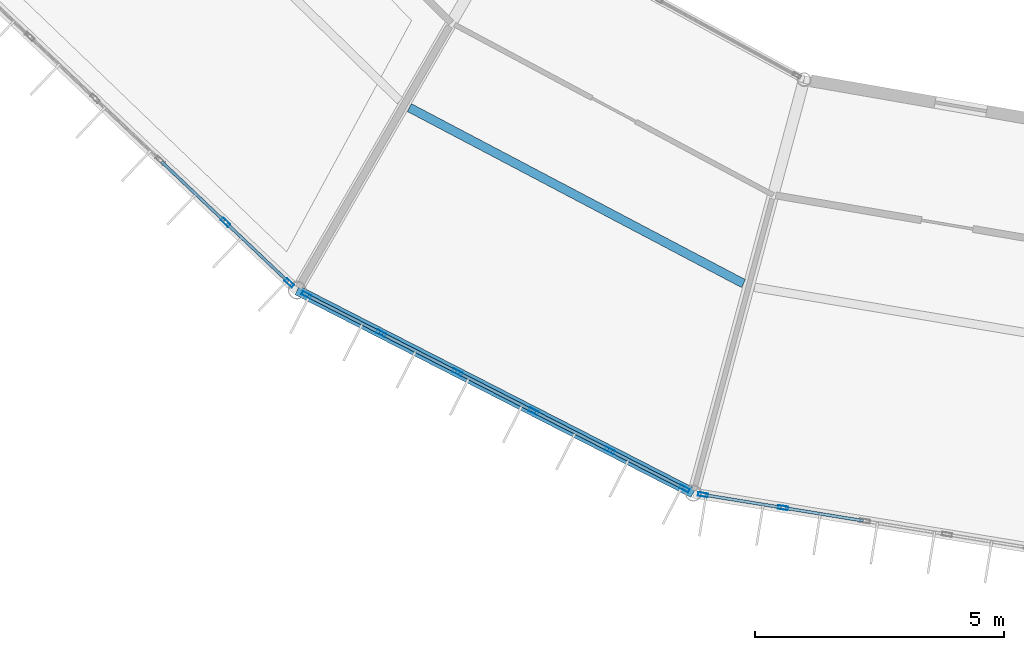
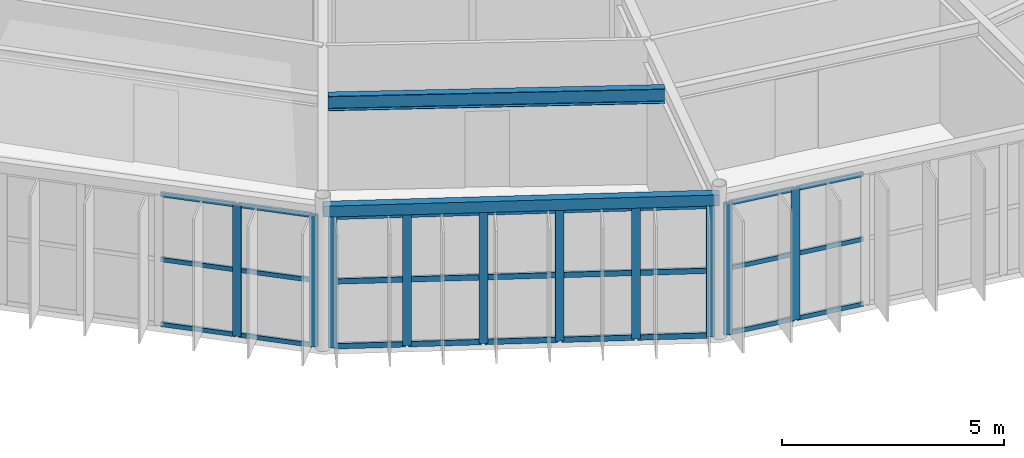
# One storey, part 24 of 148: 37 members, 2 beams, 3 elements without a shape of their own.
"""IFC4 building model written with IfcOpenShell, lengths in metres."""

from ifc_helpers import new_model, si_unit, direction, frame, origin, origin_2d, place, context, subcontext, project, spatial, hollow_rectangle, i_section, extrude, material, material_profile, profile_set, type_object, element, aggregate, save


model = new_model("IFC4")

# Units and contexts
model_context = context("Model", 3, precision=1e-05, world=origin(), true_north=direction((0.0, 1.0)))
body_context = subcontext(model_context, "Body", "Model", "MODEL_VIEW")
ifc_project = project(units=[si_unit("LENGTHUNIT", "METRE"), si_unit("AREAUNIT", "SQUARE_METRE"), si_unit("VOLUMEUNIT", "CUBIC_METRE"), si_unit("PLANEANGLEUNIT", "RADIAN"), si_unit("MASSUNIT", "GRAM", prefix="KILO")], contexts=[model_context])

# Site, building, storey
site_placement = place(None, origin())
site = spatial("IfcSite", under=ifc_project, at=site_placement, CompositionType="ELEMENT")
building_placement = place(site_placement, origin())
building = spatial("IfcBuilding", under=site, at=building_placement, Name="Karori Crest Natural Sciences Institute", CompositionType="ELEMENT")
storey_placement = place(building_placement, frame((0.0, 0.0, 4.89990234375)))
storey = spatial("IfcBuildingStorey", under=building, at=storey_placement, Name="L01", CompositionType="ELEMENT", Elevation=4.89990234375)

# Beams
ifc_material_1 = material(Name="Hollow structural steel AS/NZS 1163 Grade C350", Category="steel")
ifc_material_profile_1 = material_profile(ifc_material_1, hollow_rectangle(XDim=0.199951171875, YDim=0.300048828125, WallThickness=0.010009765625, at=origin_2d()), Name="RHS300x200x10")
ifc_profile_set_1 = profile_set([ifc_material_profile_1], Name="Hollow structural steel AS/NZS 1163 Grade C350")
beam_type_1 = type_object("IfcBeamType", Name="BT-15", PredefinedType="SPANDREL", material=ifc_profile_set_1)
beam_1_placement = place(storey_placement, frame((49.89990234375, 14.566162109375, 3.7900390625), z_axis=(0.890071733872, -0.455820478436, 0.0), x_axis=(0.455820478436, 0.890071733872, 0.0)))
element("IfcBeam", 1, at=beam_1_placement, inside=storey, type_object=beam_type_1, Name="Beam B-0240", PredefinedType="SPANDREL", context=body_context, shape_type="SweptSolid", body=[
    extrude(hollow_rectangle(XDim=0.199951171875, YDim=0.300048828125, WallThickness=0.010009765625, at=origin_2d()), origin(), (0.0, 0.0, 1.0), 8.94189453125),
])
ifc_material_2 = material(Name="Structural steel AS/NZS 3679.1 Grade 350", Category="steel")
ifc_material_profile_2 = material_profile(ifc_material_2, i_section(OverallWidth=0.177978515625, OverallDepth=0.403076171875, WebThickness=0.007568359375, FlangeThickness=0.010986328125, FilletRadius=0.010986328125, at=origin_2d()), Name="410UB53.7")
ifc_profile_set_2 = profile_set([ifc_material_profile_2], Name="Structural steel AS/NZS 3679.1 Grade 350")
beam_type_2 = type_object("IfcBeamType", Name="BT-29", PredefinedType="BEAM", material=ifc_profile_set_2)
beam_2_placement = place(storey_placement, frame((52.15625, 18.234130859375, 3.738525390625), z_axis=(0.884748465601, -0.466068828197, 0.0), x_axis=(0.466068828197, 0.884748465601, 0.0)))
element("IfcBeam", 2, at=beam_2_placement, inside=storey, type_object=beam_type_2, Name="Beam B-0243", PredefinedType="BEAM", context=body_context, shape_type="SweptSolid", body=[
    extrude(i_section(OverallWidth=0.177978515625, OverallDepth=0.403076171875, WebThickness=0.007568359375, FlangeThickness=0.010986328125, FilletRadius=0.010986328125, at=origin_2d()), origin(), (0.0, 0.0, 1.0), 7.58349609375),
])

# Curtain wall, members
ifc_material_3 = material(Name="Anodised architectural aluminium 6063-T6", Category="aluminium")
curtain_wall_type_1 = type_object("IfcCurtainWallType", Name="CWT-06", PredefinedType="NOTDEFINED", material=ifc_material_3)
curtain_wall_1_placement = place(storey_placement, origin())
curtain_wall_1 = element("IfcCurtainWall", 3, at=curtain_wall_1_placement, inside=storey, type_object=curtain_wall_type_1, Name="Curtain wall CW-0052", PredefinedType="NOTDEFINED")
ifc_material_profile_3 = material_profile(ifc_material_3, hollow_rectangle(XDim=0.074951171875, YDim=0.199951171875, WallThickness=0.0048828125, at=origin_2d()), Name="CWM200x75x5")
ifc_profile_set_3 = profile_set([ifc_material_profile_3], Name="Anodised architectural aluminium 6063-T6")
member_type_1 = type_object("IfcMemberType", Name="CWM-02", PredefinedType="MULLION", material=ifc_profile_set_3)
member_1_placement = place(storey_placement, frame((49.745361328125, 14.712890625, 0.0), z_axis=(0.0, 0.0, 1.0), x_axis=(-0.688245939986, -0.725477446992, 0.0)))
member_1 = element("IfcMember", 4, at=member_1_placement, type_object=member_type_1, Name="CW-0052 mullion 1", PredefinedType="MULLION", context=body_context, shape_type="SweptSolid", body=[
    extrude(hollow_rectangle(XDim=0.074951171875, YDim=0.199951171875, WallThickness=0.0048828125, at=origin_2d()), origin(), (0.0, 0.0, 1.0), 3.625),
])
member_2_placement = place(storey_placement, frame((48.4619140625, 15.930419921875, 0.0), z_axis=(0.0, 0.0, 1.0), x_axis=(-0.688245939986, -0.725477446992, 0.0)))
member_2 = element("IfcMember", 5, at=member_2_placement, type_object=member_type_1, Name="CW-0052 mullion 2", PredefinedType="MULLION", context=body_context, shape_type="SweptSolid", body=[
    extrude(hollow_rectangle(XDim=0.074951171875, YDim=0.199951171875, WallThickness=0.0048828125, at=origin_2d()), origin(), (0.0, 0.0, 1.0), 3.625),
])

curtain_wall_type_2 = type_object("IfcCurtainWallType", Name="CWT-07", PredefinedType="NOTDEFINED", material=ifc_material_3)
curtain_wall_2_placement = place(storey_placement, origin())
curtain_wall_2 = element("IfcCurtainWall", 6, at=curtain_wall_2_placement, inside=storey, type_object=curtain_wall_type_2, Name="Curtain wall CW-0053", PredefinedType="NOTDEFINED")
member_3_placement = place(storey_placement, frame((57.68310546875, 10.580078125, 0.0), z_axis=(0.0, 0.0, 1.0), x_axis=(-0.455832988828, -0.890065326982, 0.0)))
member_3 = element("IfcMember", 7, at=member_3_placement, type_object=member_type_1, Name="CW-0053 mullion 1", PredefinedType="MULLION", context=body_context, shape_type="SweptSolid", body=[
    extrude(hollow_rectangle(XDim=0.074951171875, YDim=0.199951171875, WallThickness=0.0048828125, at=origin_2d()), origin(), (0.0, 0.0, 1.0), 3.625),
])
member_4_placement = place(storey_placement, frame((56.1845703125, 11.34765625, 0.0), z_axis=(0.0, 0.0, 1.0), x_axis=(-0.455832988828, -0.890065326982, 0.0)))
member_4 = element("IfcMember", 8, at=member_4_placement, type_object=member_type_1, Name="CW-0053 mullion 2", PredefinedType="MULLION", context=body_context, shape_type="SweptSolid", body=[
    extrude(hollow_rectangle(XDim=0.074951171875, YDim=0.199951171875, WallThickness=0.0048828125, at=origin_2d()), origin(), (0.0, 0.0, 1.0), 3.625),
])
member_5_placement = place(storey_placement, frame((54.652587890625, 12.13232421875, 0.0), z_axis=(0.0, 0.0, 1.0), x_axis=(-0.455832988828, -0.890065326982, 0.0)))
member_5 = element("IfcMember", 9, at=member_5_placement, type_object=member_type_1, Name="CW-0053 mullion 3", PredefinedType="MULLION", context=body_context, shape_type="SweptSolid", body=[
    extrude(hollow_rectangle(XDim=0.074951171875, YDim=0.199951171875, WallThickness=0.0048828125, at=origin_2d()), origin(), (0.0, 0.0, 1.0), 3.625),
])
member_6_placement = place(storey_placement, frame((53.12060546875, 12.9169921875, 0.0), z_axis=(0.0, 0.0, 1.0), x_axis=(-0.455832988828, -0.890065326982, 0.0)))
member_6 = element("IfcMember", 10, at=member_6_placement, type_object=member_type_1, Name="CW-0053 mullion 4", PredefinedType="MULLION", context=body_context, shape_type="SweptSolid", body=[
    extrude(hollow_rectangle(XDim=0.074951171875, YDim=0.199951171875, WallThickness=0.0048828125, at=origin_2d()), origin(), (0.0, 0.0, 1.0), 3.625),
])
member_7_placement = place(storey_placement, frame((51.588623046875, 13.701416015625, 0.0), z_axis=(0.0, 0.0, 1.0), x_axis=(-0.455832988828, -0.890065326982, 0.0)))
member_7 = element("IfcMember", 11, at=member_7_placement, type_object=member_type_1, Name="CW-0053 mullion 5", PredefinedType="MULLION", context=body_context, shape_type="SweptSolid", body=[
    extrude(hollow_rectangle(XDim=0.074951171875, YDim=0.199951171875, WallThickness=0.0048828125, at=origin_2d()), origin(), (0.0, 0.0, 1.0), 3.625),
])
member_8_placement = place(storey_placement, frame((50.08984375, 14.468994140625, 0.0), z_axis=(0.0, 0.0, 1.0), x_axis=(-0.455832988828, -0.890065326982, 0.0)))
member_8 = element("IfcMember", 12, at=member_8_placement, type_object=member_type_1, Name="CW-0053 mullion 6", PredefinedType="MULLION", context=body_context, shape_type="SweptSolid", body=[
    extrude(hollow_rectangle(XDim=0.074951171875, YDim=0.199951171875, WallThickness=0.0048828125, at=origin_2d()), origin(), (0.0, 0.0, 1.0), 3.625),
])

curtain_wall_type_3 = type_object("IfcCurtainWallType", Name="CWT-08", PredefinedType="NOTDEFINED", material=ifc_material_3)
curtain_wall_3_placement = place(storey_placement, origin())
curtain_wall_3 = element("IfcCurtainWall", 13, at=curtain_wall_3_placement, inside=storey, type_object=curtain_wall_type_3, Name="Curtain wall CW-0055", PredefinedType="NOTDEFINED")
member_9_placement = place(storey_placement, frame((59.662841796875, 10.196533203125, 0.0), z_axis=(0.0, 0.0, 1.0), x_axis=(-0.160651962718, -0.987011117908, 0.0)))
member_9 = element("IfcMember", 14, at=member_9_placement, type_object=member_type_1, Name="CW-0055 mullion 5", PredefinedType="MULLION", context=body_context, shape_type="SweptSolid", body=[
    extrude(hollow_rectangle(XDim=0.074951171875, YDim=0.199951171875, WallThickness=0.0048828125, at=origin_2d()), origin(), (0.0, 0.0, 1.0), 3.625),
])
member_10_placement = place(storey_placement, frame((58.053955078125, 10.45849609375, 0.0), z_axis=(0.0, 0.0, 1.0), x_axis=(-0.160651962718, -0.987011117908, 0.0)))
member_10 = element("IfcMember", 15, at=member_10_placement, type_object=member_type_1, Name="CW-0055 mullion 6", PredefinedType="MULLION", context=body_context, shape_type="SweptSolid", body=[
    extrude(hollow_rectangle(XDim=0.074951171875, YDim=0.199951171875, WallThickness=0.0048828125, at=origin_2d()), origin(), (0.0, 0.0, 1.0), 3.625),
])

# Member
ifc_material_profile_4 = material_profile(ifc_material_3, hollow_rectangle(XDim=0.06005859375, YDim=0.1201171875, WallThickness=0.00390625, at=origin_2d()), Name="CWT120x60x4")
ifc_profile_set_4 = profile_set([ifc_material_profile_4], Name="Anodised architectural aluminium 6063-T6")
member_type_2 = type_object("IfcMemberType", Name="CWT-TR1", PredefinedType="USERDEFINED", material=ifc_profile_set_4)
member_11_placement = place(storey_placement, frame((49.718017578125, 14.73876953125, 0.030029296875), z_axis=(-0.72545262833, 0.688272100299, 0.0), x_axis=(-0.688272100299, -0.72545262833, 0.0)))
member_11 = element("IfcMember", 16, at=member_11_placement, type_object=member_type_2, Name="CW-0052 transom 1.1", ObjectType="TRANSOM", PredefinedType="USERDEFINED", context=body_context, shape_type="SweptSolid", body=[
    extrude(hollow_rectangle(XDim=0.06005859375, YDim=0.1201171875, WallThickness=0.00390625, at=origin_2d()), origin(), (0.0, 0.0, 1.0), 1.694091796875),
])

member_12_placement = place(storey_placement, frame((49.718017578125, 14.73876953125, 1.8125), z_axis=(-0.72545262833, 0.688272100299, 0.0), x_axis=(-0.688272100299, -0.72545262833, 0.0)))
member_12 = element("IfcMember", 17, at=member_12_placement, type_object=member_type_2, Name="CW-0052 transom 1.2", ObjectType="TRANSOM", PredefinedType="USERDEFINED", context=body_context, shape_type="SweptSolid", body=[
    extrude(hollow_rectangle(XDim=0.06005859375, YDim=0.1201171875, WallThickness=0.00390625, at=origin_2d()), origin(), (0.0, 0.0, 1.0), 1.694091796875),
])

member_13_placement = place(storey_placement, frame((49.718017578125, 14.73876953125, 3.59521484375), z_axis=(-0.72545262833, 0.688272100299, 0.0), x_axis=(-0.688272100299, -0.72545262833, 0.0)))
member_13 = element("IfcMember", 18, at=member_13_placement, type_object=member_type_2, Name="CW-0052 transom 1.3", ObjectType="TRANSOM", PredefinedType="USERDEFINED", context=body_context, shape_type="SweptSolid", body=[
    extrude(hollow_rectangle(XDim=0.06005859375, YDim=0.1201171875, WallThickness=0.00390625, at=origin_2d()), origin(), (0.0, 0.0, 1.0), 1.694091796875),
])

member_14_placement = place(storey_placement, frame((48.434814453125, 15.956298828125, 0.030029296875), z_axis=(-0.725541312299, 0.68817861355, 0.0), x_axis=(-0.68817861355, -0.725541312299, 0.0)))
member_14 = element("IfcMember", 19, at=member_14_placement, type_object=member_type_2, Name="CW-0052 transom 2.1", ObjectType="TRANSOM", PredefinedType="USERDEFINED", context=body_context, shape_type="SweptSolid", body=[
    extrude(hollow_rectangle(XDim=0.06005859375, YDim=0.1201171875, WallThickness=0.00390625, at=origin_2d()), origin(), (0.0, 0.0, 1.0), 1.731689453125),
])

member_15_placement = place(storey_placement, frame((48.434814453125, 15.956298828125, 1.8125), z_axis=(-0.725541312299, 0.68817861355, 0.0), x_axis=(-0.68817861355, -0.725541312299, 0.0)))
member_15 = element("IfcMember", 20, at=member_15_placement, type_object=member_type_2, Name="CW-0052 transom 2.2", ObjectType="TRANSOM", PredefinedType="USERDEFINED", context=body_context, shape_type="SweptSolid", body=[
    extrude(hollow_rectangle(XDim=0.06005859375, YDim=0.1201171875, WallThickness=0.00390625, at=origin_2d()), origin(), (0.0, 0.0, 1.0), 1.731689453125),
])

member_16_placement = place(storey_placement, frame((48.434814453125, 15.956298828125, 3.59521484375), z_axis=(-0.725541312299, 0.68817861355, 0.0), x_axis=(-0.68817861355, -0.725541312299, 0.0)))
member_16 = element("IfcMember", 21, at=member_16_placement, type_object=member_type_2, Name="CW-0052 transom 2.3", ObjectType="TRANSOM", PredefinedType="USERDEFINED", context=body_context, shape_type="SweptSolid", body=[
    extrude(hollow_rectangle(XDim=0.06005859375, YDim=0.1201171875, WallThickness=0.00390625, at=origin_2d()), origin(), (0.0, 0.0, 1.0), 1.731689453125),
])

aggregate(curtain_wall_1, [member_1, member_2, member_11, member_12, member_13, member_14, member_15, member_16])

member_17_placement = place(storey_placement, frame((61.271728515625, 9.934814453125, 0.030029296875), z_axis=(-0.987008400747, 0.16066865548, 0.0), x_axis=(-0.16066865548, -0.987008400747, 0.0)))
member_17 = element("IfcMember", 22, at=member_17_placement, type_object=member_type_2, Name="CW-0055 transom 4.1", ObjectType="TRANSOM", PredefinedType="USERDEFINED", context=body_context, shape_type="SweptSolid", body=[
    extrude(hollow_rectangle(XDim=0.06005859375, YDim=0.1201171875, WallThickness=0.00390625, at=origin_2d()), origin(), (0.0, 0.0, 1.0), 1.592529296875),
])

member_18_placement = place(storey_placement, frame((61.271728515625, 9.934814453125, 1.8125), z_axis=(-0.987008400747, 0.16066865548, 0.0), x_axis=(-0.16066865548, -0.987008400747, 0.0)))
member_18 = element("IfcMember", 23, at=member_18_placement, type_object=member_type_2, Name="CW-0055 transom 4.2", ObjectType="TRANSOM", PredefinedType="USERDEFINED", context=body_context, shape_type="SweptSolid", body=[
    extrude(hollow_rectangle(XDim=0.06005859375, YDim=0.1201171875, WallThickness=0.00390625, at=origin_2d()), origin(), (0.0, 0.0, 1.0), 1.592529296875),
])

member_19_placement = place(storey_placement, frame((61.271728515625, 9.934814453125, 3.59521484375), z_axis=(-0.987008400747, 0.16066865548, 0.0), x_axis=(-0.16066865548, -0.987008400747, 0.0)))
member_19 = element("IfcMember", 24, at=member_19_placement, type_object=member_type_2, Name="CW-0055 transom 4.3", ObjectType="TRANSOM", PredefinedType="USERDEFINED", context=body_context, shape_type="SweptSolid", body=[
    extrude(hollow_rectangle(XDim=0.06005859375, YDim=0.1201171875, WallThickness=0.00390625, at=origin_2d()), origin(), (0.0, 0.0, 1.0), 1.592529296875),
])

member_20_placement = place(storey_placement, frame((59.625732421875, 10.20263671875, 0.030029296875), z_axis=(-0.987018847507, 0.160604466518, 0.0), x_axis=(-0.160604466518, -0.987018847507, 0.0)))
member_20 = element("IfcMember", 25, at=member_20_placement, type_object=member_type_2, Name="CW-0055 transom 5.1", ObjectType="TRANSOM", PredefinedType="USERDEFINED", context=body_context, shape_type="SweptSolid", body=[
    extrude(hollow_rectangle(XDim=0.06005859375, YDim=0.1201171875, WallThickness=0.00390625, at=origin_2d()), origin(), (0.0, 0.0, 1.0), 1.55517578125),
])

member_21_placement = place(storey_placement, frame((59.625732421875, 10.20263671875, 1.8125), z_axis=(-0.987018847507, 0.160604466518, 0.0), x_axis=(-0.160604466518, -0.987018847507, 0.0)))
member_21 = element("IfcMember", 26, at=member_21_placement, type_object=member_type_2, Name="CW-0055 transom 5.2", ObjectType="TRANSOM", PredefinedType="USERDEFINED", context=body_context, shape_type="SweptSolid", body=[
    extrude(hollow_rectangle(XDim=0.06005859375, YDim=0.1201171875, WallThickness=0.00390625, at=origin_2d()), origin(), (0.0, 0.0, 1.0), 1.55517578125),
])

member_22_placement = place(storey_placement, frame((59.625732421875, 10.20263671875, 3.59521484375), z_axis=(-0.987018847507, 0.160604466518, 0.0), x_axis=(-0.160604466518, -0.987018847507, 0.0)))
member_22 = element("IfcMember", 27, at=member_22_placement, type_object=member_type_2, Name="CW-0055 transom 5.3", ObjectType="TRANSOM", PredefinedType="USERDEFINED", context=body_context, shape_type="SweptSolid", body=[
    extrude(hollow_rectangle(XDim=0.06005859375, YDim=0.1201171875, WallThickness=0.00390625, at=origin_2d()), origin(), (0.0, 0.0, 1.0), 1.55517578125),
])

aggregate(curtain_wall_3, [member_9, member_10, member_17, member_18, member_19, member_20, member_21, member_22])

ifc_material_profile_5 = material_profile(ifc_material_3, hollow_rectangle(XDim=0.06494140625, YDim=0.14990234375, WallThickness=0.00390625, at=origin_2d()), Name="CWT150x65x4")
ifc_profile_set_5 = profile_set([ifc_material_profile_5], Name="Anodised architectural aluminium 6063-T6")
member_type_3 = type_object("IfcMemberType", Name="CWT-TR2", PredefinedType="USERDEFINED", material=ifc_profile_set_5)
member_23_placement = place(storey_placement, frame((57.64990234375, 10.59716796875, 0.03271484375), z_axis=(-0.890044866674, 0.455872937679, 0.0), x_axis=(-0.455872937679, -0.890044866674, 0.0)))
member_23 = element("IfcMember", 28, at=member_23_placement, type_object=member_type_3, Name="CW-0053 transom 1.1", ObjectType="TRANSOM", PredefinedType="USERDEFINED", context=body_context, shape_type="SweptSolid", body=[
    extrude(hollow_rectangle(XDim=0.06494140625, YDim=0.14990234375, WallThickness=0.00390625, at=origin_2d()), origin(), (0.0, 0.0, 1.0), 1.60888671875),
])

member_24_placement = place(storey_placement, frame((57.64990234375, 10.59716796875, 1.8125), z_axis=(-0.890044866674, 0.455872937679, 0.0), x_axis=(-0.455872937679, -0.890044866674, 0.0)))
member_24 = element("IfcMember", 29, at=member_24_placement, type_object=member_type_3, Name="CW-0053 transom 1.2", ObjectType="TRANSOM", PredefinedType="USERDEFINED", context=body_context, shape_type="SweptSolid", body=[
    extrude(hollow_rectangle(XDim=0.06494140625, YDim=0.14990234375, WallThickness=0.00390625, at=origin_2d()), origin(), (0.0, 0.0, 1.0), 1.60888671875),
])

member_25_placement = place(storey_placement, frame((57.64990234375, 10.59716796875, 3.592529296875), z_axis=(-0.890044866674, 0.455872937679, 0.0), x_axis=(-0.455872937679, -0.890044866674, 0.0)))
member_25 = element("IfcMember", 30, at=member_25_placement, type_object=member_type_3, Name="CW-0053 transom 1.3", ObjectType="TRANSOM", PredefinedType="USERDEFINED", context=body_context, shape_type="SweptSolid", body=[
    extrude(hollow_rectangle(XDim=0.06494140625, YDim=0.14990234375, WallThickness=0.00390625, at=origin_2d()), origin(), (0.0, 0.0, 1.0), 1.60888671875),
])

member_26_placement = place(storey_placement, frame((56.151123046875, 11.36474609375, 0.03271484375), z_axis=(-0.890024283327, 0.455913122304, 0.0), x_axis=(-0.455913122304, -0.890024283327, 0.0)))
member_26 = element("IfcMember", 31, at=member_26_placement, type_object=member_type_3, Name="CW-0053 transom 2.1", ObjectType="TRANSOM", PredefinedType="USERDEFINED", context=body_context, shape_type="SweptSolid", body=[
    extrude(hollow_rectangle(XDim=0.06494140625, YDim=0.14990234375, WallThickness=0.00390625, at=origin_2d()), origin(), (0.0, 0.0, 1.0), 1.646240234375),
])

member_27_placement = place(storey_placement, frame((56.151123046875, 11.36474609375, 1.8125), z_axis=(-0.890024283327, 0.455913122304, 0.0), x_axis=(-0.455913122304, -0.890024283327, 0.0)))
member_27 = element("IfcMember", 32, at=member_27_placement, type_object=member_type_3, Name="CW-0053 transom 2.2", ObjectType="TRANSOM", PredefinedType="USERDEFINED", context=body_context, shape_type="SweptSolid", body=[
    extrude(hollow_rectangle(XDim=0.06494140625, YDim=0.14990234375, WallThickness=0.00390625, at=origin_2d()), origin(), (0.0, 0.0, 1.0), 1.646240234375),
])

member_28_placement = place(storey_placement, frame((56.151123046875, 11.36474609375, 3.592529296875), z_axis=(-0.890024283327, 0.455913122304, 0.0), x_axis=(-0.455913122304, -0.890024283327, 0.0)))
member_28 = element("IfcMember", 33, at=member_28_placement, type_object=member_type_3, Name="CW-0053 transom 2.3", ObjectType="TRANSOM", PredefinedType="USERDEFINED", context=body_context, shape_type="SweptSolid", body=[
    extrude(hollow_rectangle(XDim=0.06494140625, YDim=0.14990234375, WallThickness=0.00390625, at=origin_2d()), origin(), (0.0, 0.0, 1.0), 1.646240234375),
])

member_29_placement = place(storey_placement, frame((54.619140625, 12.1494140625, 0.03271484375), z_axis=(-0.890055105015, 0.45585294782, 0.0), x_axis=(-0.45585294782, -0.890055105015, 0.0)))
member_29 = element("IfcMember", 34, at=member_29_placement, type_object=member_type_3, Name="CW-0053 transom 3.1", ObjectType="TRANSOM", PredefinedType="USERDEFINED", context=body_context, shape_type="SweptSolid", body=[
    extrude(hollow_rectangle(XDim=0.06494140625, YDim=0.14990234375, WallThickness=0.00390625, at=origin_2d()), origin(), (0.0, 0.0, 1.0), 1.646240234375),
])

member_30_placement = place(storey_placement, frame((54.619140625, 12.1494140625, 1.8125), z_axis=(-0.890055105015, 0.45585294782, 0.0), x_axis=(-0.45585294782, -0.890055105015, 0.0)))
member_30 = element("IfcMember", 35, at=member_30_placement, type_object=member_type_3, Name="CW-0053 transom 3.2", ObjectType="TRANSOM", PredefinedType="USERDEFINED", context=body_context, shape_type="SweptSolid", body=[
    extrude(hollow_rectangle(XDim=0.06494140625, YDim=0.14990234375, WallThickness=0.00390625, at=origin_2d()), origin(), (0.0, 0.0, 1.0), 1.646240234375),
])

member_31_placement = place(storey_placement, frame((54.619140625, 12.1494140625, 3.592529296875), z_axis=(-0.890055105015, 0.45585294782, 0.0), x_axis=(-0.45585294782, -0.890055105015, 0.0)))
member_31 = element("IfcMember", 36, at=member_31_placement, type_object=member_type_3, Name="CW-0053 transom 3.3", ObjectType="TRANSOM", PredefinedType="USERDEFINED", context=body_context, shape_type="SweptSolid", body=[
    extrude(hollow_rectangle(XDim=0.06494140625, YDim=0.14990234375, WallThickness=0.00390625, at=origin_2d()), origin(), (0.0, 0.0, 1.0), 1.646240234375),
])

member_32_placement = place(storey_placement, frame((53.087158203125, 12.93408203125, 0.03271484375), z_axis=(-0.890115268912, 0.455735458408, 0.0), x_axis=(-0.455735458408, -0.890115268912, 0.0)))
member_32 = element("IfcMember", 37, at=member_32_placement, type_object=member_type_3, Name="CW-0053 transom 4.1", ObjectType="TRANSOM", PredefinedType="USERDEFINED", context=body_context, shape_type="SweptSolid", body=[
    extrude(hollow_rectangle(XDim=0.06494140625, YDim=0.14990234375, WallThickness=0.00390625, at=origin_2d()), origin(), (0.0, 0.0, 1.0), 1.646240234375),
])

member_33_placement = place(storey_placement, frame((53.087158203125, 12.93408203125, 1.8125), z_axis=(-0.890115268912, 0.455735458408, 0.0), x_axis=(-0.455735458408, -0.890115268912, 0.0)))
member_33 = element("IfcMember", 38, at=member_33_placement, type_object=member_type_3, Name="CW-0053 transom 4.2", ObjectType="TRANSOM", PredefinedType="USERDEFINED", context=body_context, shape_type="SweptSolid", body=[
    extrude(hollow_rectangle(XDim=0.06494140625, YDim=0.14990234375, WallThickness=0.00390625, at=origin_2d()), origin(), (0.0, 0.0, 1.0), 1.646240234375),
])

member_34_placement = place(storey_placement, frame((53.087158203125, 12.93408203125, 3.592529296875), z_axis=(-0.890115268912, 0.455735458408, 0.0), x_axis=(-0.455735458408, -0.890115268912, 0.0)))
member_34 = element("IfcMember", 39, at=member_34_placement, type_object=member_type_3, Name="CW-0053 transom 4.3", ObjectType="TRANSOM", PredefinedType="USERDEFINED", context=body_context, shape_type="SweptSolid", body=[
    extrude(hollow_rectangle(XDim=0.06494140625, YDim=0.14990234375, WallThickness=0.00390625, at=origin_2d()), origin(), (0.0, 0.0, 1.0), 1.646240234375),
])

member_35_placement = place(storey_placement, frame((51.55517578125, 13.718505859375, 0.03271484375), z_axis=(-0.890044866674, 0.455872937679, 0.0), x_axis=(-0.455872937679, -0.890044866674, 0.0)))
member_35 = element("IfcMember", 40, at=member_35_placement, type_object=member_type_3, Name="CW-0053 transom 5.1", ObjectType="TRANSOM", PredefinedType="USERDEFINED", context=body_context, shape_type="SweptSolid", body=[
    extrude(hollow_rectangle(XDim=0.06494140625, YDim=0.14990234375, WallThickness=0.00390625, at=origin_2d()), origin(), (0.0, 0.0, 1.0), 1.60888671875),
])

member_36_placement = place(storey_placement, frame((51.55517578125, 13.718505859375, 1.8125), z_axis=(-0.890044866674, 0.455872937679, 0.0), x_axis=(-0.455872937679, -0.890044866674, 0.0)))
member_36 = element("IfcMember", 41, at=member_36_placement, type_object=member_type_3, Name="CW-0053 transom 5.2", ObjectType="TRANSOM", PredefinedType="USERDEFINED", context=body_context, shape_type="SweptSolid", body=[
    extrude(hollow_rectangle(XDim=0.06494140625, YDim=0.14990234375, WallThickness=0.00390625, at=origin_2d()), origin(), (0.0, 0.0, 1.0), 1.60888671875),
])

member_37_placement = place(storey_placement, frame((51.55517578125, 13.718505859375, 3.592529296875), z_axis=(-0.890044866674, 0.455872937679, 0.0), x_axis=(-0.455872937679, -0.890044866674, 0.0)))
member_37 = element("IfcMember", 42, at=member_37_placement, type_object=member_type_3, Name="CW-0053 transom 5.3", ObjectType="TRANSOM", PredefinedType="USERDEFINED", context=body_context, shape_type="SweptSolid", body=[
    extrude(hollow_rectangle(XDim=0.06494140625, YDim=0.14990234375, WallThickness=0.00390625, at=origin_2d()), origin(), (0.0, 0.0, 1.0), 1.60888671875),
])

aggregate(curtain_wall_2, [member_3, member_4, member_5, member_6, member_7, member_8, member_23, member_24, member_25, member_26, member_27, member_28, member_29, member_30, member_31, member_32, member_33, member_34, member_35, member_36, member_37])

save(model, "model.ifc")
